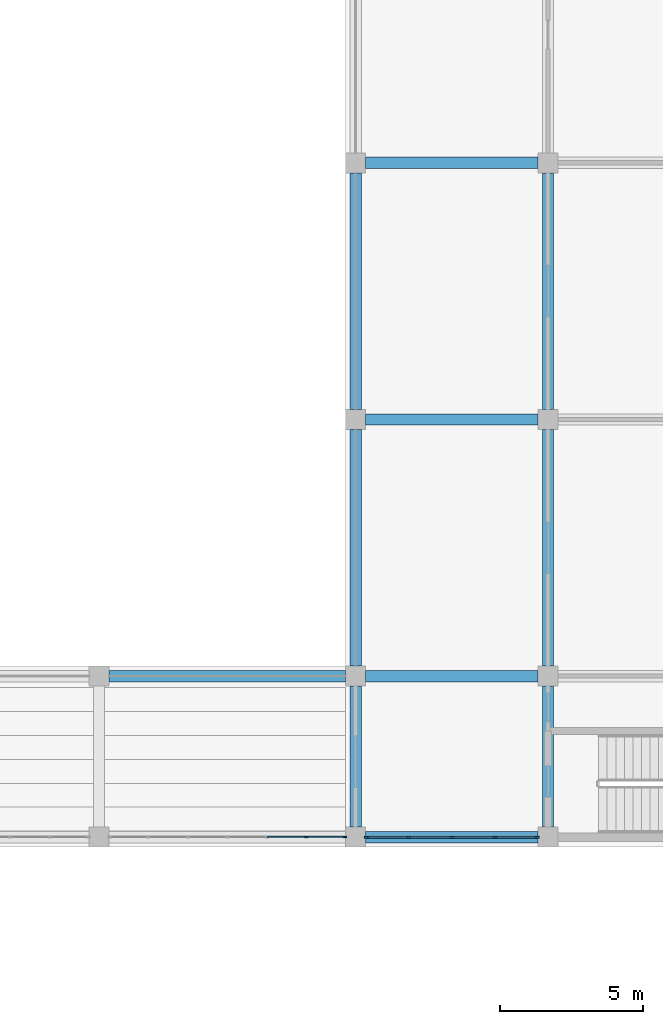
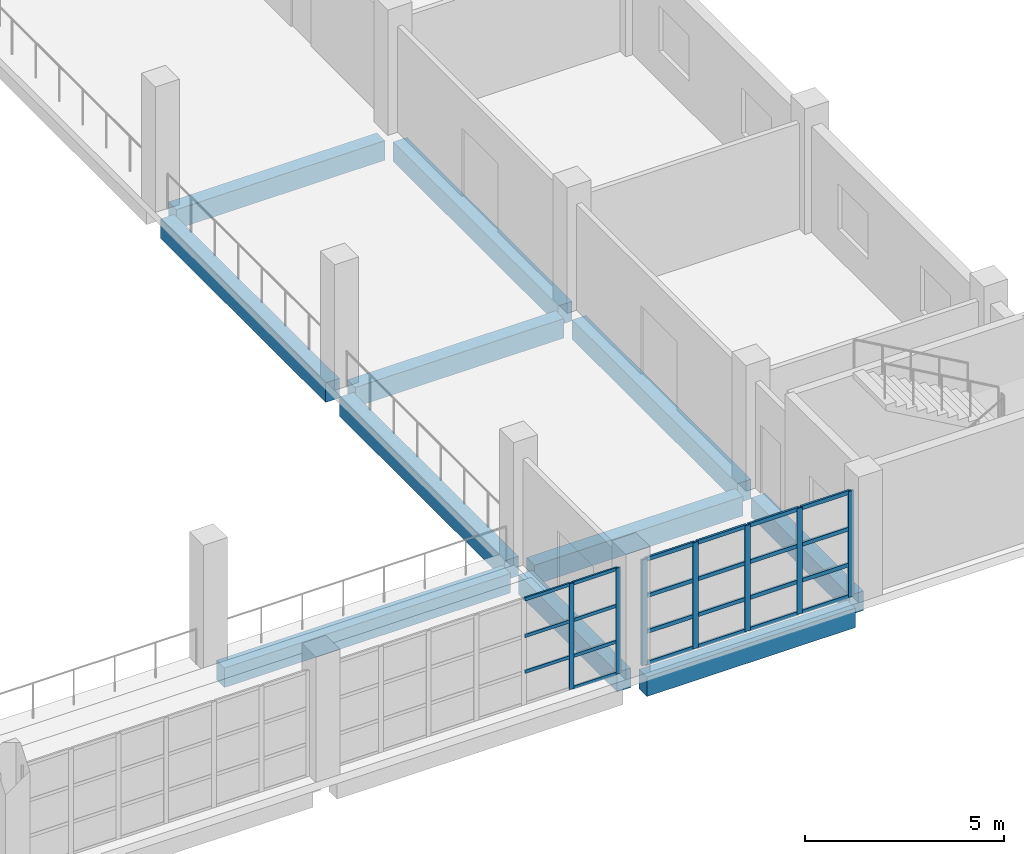
# One storey, part 6 of 36: 30 members, 11 beams, 2 elements without a shape of their own.
"""IFC4 building model written with IfcOpenShell, lengths in metres."""

from ifc_helpers import new_model, si_unit, direction, frame, origin, origin_2d, place, context, subcontext, project, spatial, rectangle, extrude, material, layer, layer_set, material_profile, profile_set, type_object, element, aggregate, save


model = new_model("IFC4")

# Units and contexts
model_context = context("Model", 3, precision=1e-05, world=origin(), true_north=direction((0.0, 1.0)))
body_context = subcontext(model_context, "Body", "Model", "MODEL_VIEW")
ifc_project = project(units=[si_unit("LENGTHUNIT", "METRE"), si_unit("AREAUNIT", "SQUARE_METRE"), si_unit("VOLUMEUNIT", "CUBIC_METRE"), si_unit("PLANEANGLEUNIT", "RADIAN"), si_unit("MASSUNIT", "GRAM", prefix="KILO")], contexts=[model_context])

# Site, building, storey
site_placement = place(None, origin())
site = spatial("IfcSite", under=ifc_project, at=site_placement, CompositionType="ELEMENT")
building_placement = place(site_placement, origin())
building = spatial("IfcBuilding", under=site, at=building_placement, Name="Corbel Stack Research Tower", CompositionType="ELEMENT")
storey_placement = place(building_placement, frame((0.0, 0.0, 7.199951171875)))
storey = spatial("IfcBuildingStorey", under=building, at=storey_placement, Name="L01", CompositionType="ELEMENT", Elevation=7.199951171875)

# Curtain wall, members
ifc_material_1 = material(Name="Aluminium", Category="aluminium")
ifc_layer_1 = layer(ifc_material_1, 0.14990234375)
ifc_layer_set_1 = layer_set([ifc_layer_1], Name="Aluminium")
curtain_wall_type_1 = type_object("IfcCurtainWallType", Name="CW5 main facade curtain wall", PredefinedType="NOTDEFINED", material=ifc_layer_set_1)
curtain_wall_1_placement = place(storey_placement, origin())
curtain_wall_1 = element("IfcCurtainWall", 1, at=curtain_wall_1_placement, inside=storey, type_object=curtain_wall_type_1, Name="Main facade curtain wall L01 3", PredefinedType="NOTDEFINED")
ifc_material_2 = material(Name="Aluminium", Category="aluminium")
ifc_material_profile_1 = material_profile(ifc_material_2, rectangle(XDim=0.06005859375, YDim=0.159912109375, at=origin_2d()), Name="Mullion 60 x 160")
ifc_profile_set_1 = profile_set([ifc_material_profile_1], Name="Aluminium")
member_type_1 = type_object("IfcMemberType", Name="CW5 mullion 60 x 160", PredefinedType="MULLION", material=ifc_profile_set_1)
member_1_placement = place(storey_placement, frame((87.330078125, -23.64990234375, 0.0), z_axis=(0.0, 0.0, 1.0), x_axis=(0.0, 1.0, 0.0)))
member_1 = element("IfcMember", 2, at=member_1_placement, type_object=member_type_1, Name="CW5 mullion 1", PredefinedType="MULLION", context=body_context, shape_type="SweptSolid", body=[
    extrude(rectangle(XDim=0.06005859375, YDim=0.159912109375, at=origin_2d()), origin(), (0.0, 0.0, 1.0), 3.25),
])
member_2_placement = place(storey_placement, frame((88.8125, -23.64990234375, 0.0), z_axis=(0.0, 0.0, 1.0), x_axis=(0.0, 1.0, 0.0)))
member_2 = element("IfcMember", 3, at=member_2_placement, type_object=member_type_1, Name="CW5 mullion 2", PredefinedType="MULLION", context=body_context, shape_type="SweptSolid", body=[
    extrude(rectangle(XDim=0.06005859375, YDim=0.159912109375, at=origin_2d()), origin(), (0.0, 0.0, 1.0), 3.25),
])
member_3_placement = place(storey_placement, frame((90.324951171875, -23.64990234375, 0.0), z_axis=(0.0, 0.0, 1.0), x_axis=(0.0, 1.0, 0.0)))
member_3 = element("IfcMember", 4, at=member_3_placement, type_object=member_type_1, Name="CW5 mullion 3", PredefinedType="MULLION", context=body_context, shape_type="SweptSolid", body=[
    extrude(rectangle(XDim=0.06005859375, YDim=0.159912109375, at=origin_2d()), origin(), (0.0, 0.0, 1.0), 3.25),
])
member_4_placement = place(storey_placement, frame((91.83740234375, -23.64990234375, 0.0), z_axis=(0.0, 0.0, 1.0), x_axis=(0.0, 1.0, 0.0)))
member_4 = element("IfcMember", 5, at=member_4_placement, type_object=member_type_1, Name="CW5 mullion 4", PredefinedType="MULLION", context=body_context, shape_type="SweptSolid", body=[
    extrude(rectangle(XDim=0.06005859375, YDim=0.159912109375, at=origin_2d()), origin(), (0.0, 0.0, 1.0), 3.25),
])
member_5_placement = place(storey_placement, frame((93.320068359375, -23.64990234375, 0.0), z_axis=(0.0, 0.0, 1.0), x_axis=(0.0, 1.0, 0.0)))
member_5 = element("IfcMember", 6, at=member_5_placement, type_object=member_type_1, Name="CW5 mullion 5", PredefinedType="MULLION", context=body_context, shape_type="SweptSolid", body=[
    extrude(rectangle(XDim=0.06005859375, YDim=0.159912109375, at=origin_2d()), origin(), (0.0, 0.0, 1.0), 3.25),
])
ifc_material_3 = material(Name="Aluminium", Category="aluminium")
ifc_material_profile_2 = material_profile(ifc_material_3, rectangle(XDim=0.06005859375, YDim=0.1201171875, at=origin_2d()), Name="Transom 60 x 120")
ifc_profile_set_2 = profile_set([ifc_material_profile_2], Name="Aluminium")
member_type_2 = type_object("IfcMemberType", Name="CW5 transom 60 x 120", PredefinedType="USERDEFINED", material=ifc_profile_set_2)
member_6_placement = place(storey_placement, frame((87.360107421875, -23.64990234375, 0.030029296875), z_axis=(1.0, 0.0, 0.0), x_axis=(0.0, 1.0, 0.0)))
member_6 = element("IfcMember", 7, at=member_6_placement, type_object=member_type_2, Name="CW5 transom 1.1", ObjectType="TRANSOM", PredefinedType="USERDEFINED", context=body_context, shape_type="SweptSolid", body=[
    extrude(rectangle(XDim=0.06005859375, YDim=0.1201171875, at=origin_2d()), origin(), (0.0, 0.0, 1.0), 1.42236328125),
])
member_7_placement = place(storey_placement, frame((87.360107421875, -23.64990234375, 1.0), z_axis=(1.0, 0.0, 0.0), x_axis=(0.0, 1.0, 0.0)))
member_7 = element("IfcMember", 8, at=member_7_placement, type_object=member_type_2, Name="CW5 transom 1.2", ObjectType="TRANSOM", PredefinedType="USERDEFINED", context=body_context, shape_type="SweptSolid", body=[
    extrude(rectangle(XDim=0.06005859375, YDim=0.1201171875, at=origin_2d()), origin(), (0.0, 0.0, 1.0), 1.42236328125),
])
member_8_placement = place(storey_placement, frame((87.360107421875, -23.64990234375, 2.10009765625), z_axis=(1.0, 0.0, 0.0), x_axis=(0.0, 1.0, 0.0)))
member_8 = element("IfcMember", 9, at=member_8_placement, type_object=member_type_2, Name="CW5 transom 1.3", ObjectType="TRANSOM", PredefinedType="USERDEFINED", context=body_context, shape_type="SweptSolid", body=[
    extrude(rectangle(XDim=0.06005859375, YDim=0.1201171875, at=origin_2d()), origin(), (0.0, 0.0, 1.0), 1.42236328125),
])
member_9_placement = place(storey_placement, frame((87.360107421875, -23.64990234375, 3.219970703125), z_axis=(1.0, 0.0, 0.0), x_axis=(0.0, 1.0, 0.0)))
member_9 = element("IfcMember", 10, at=member_9_placement, type_object=member_type_2, Name="CW5 transom 1.4", ObjectType="TRANSOM", PredefinedType="USERDEFINED", context=body_context, shape_type="SweptSolid", body=[
    extrude(rectangle(XDim=0.06005859375, YDim=0.1201171875, at=origin_2d()), origin(), (0.0, 0.0, 1.0), 1.42236328125),
])
member_10_placement = place(storey_placement, frame((88.842529296875, -23.64990234375, 0.030029296875), z_axis=(1.0, 0.0, 0.0), x_axis=(0.0, 1.0, 0.0)))
member_10 = element("IfcMember", 11, at=member_10_placement, type_object=member_type_2, Name="CW5 transom 2.1", ObjectType="TRANSOM", PredefinedType="USERDEFINED", context=body_context, shape_type="SweptSolid", body=[
    extrude(rectangle(XDim=0.06005859375, YDim=0.1201171875, at=origin_2d()), origin(), (0.0, 0.0, 1.0), 1.452392578125),
])
member_11_placement = place(storey_placement, frame((88.842529296875, -23.64990234375, 1.0), z_axis=(1.0, 0.0, 0.0), x_axis=(0.0, 1.0, 0.0)))
member_11 = element("IfcMember", 12, at=member_11_placement, type_object=member_type_2, Name="CW5 transom 2.2", ObjectType="TRANSOM", PredefinedType="USERDEFINED", context=body_context, shape_type="SweptSolid", body=[
    extrude(rectangle(XDim=0.06005859375, YDim=0.1201171875, at=origin_2d()), origin(), (0.0, 0.0, 1.0), 1.452392578125),
])
member_12_placement = place(storey_placement, frame((88.842529296875, -23.64990234375, 2.10009765625), z_axis=(1.0, 0.0, 0.0), x_axis=(0.0, 1.0, 0.0)))
member_12 = element("IfcMember", 13, at=member_12_placement, type_object=member_type_2, Name="CW5 transom 2.3", ObjectType="TRANSOM", PredefinedType="USERDEFINED", context=body_context, shape_type="SweptSolid", body=[
    extrude(rectangle(XDim=0.06005859375, YDim=0.1201171875, at=origin_2d()), origin(), (0.0, 0.0, 1.0), 1.452392578125),
])
member_13_placement = place(storey_placement, frame((88.842529296875, -23.64990234375, 3.219970703125), z_axis=(1.0, 0.0, 0.0), x_axis=(0.0, 1.0, 0.0)))
member_13 = element("IfcMember", 14, at=member_13_placement, type_object=member_type_2, Name="CW5 transom 2.4", ObjectType="TRANSOM", PredefinedType="USERDEFINED", context=body_context, shape_type="SweptSolid", body=[
    extrude(rectangle(XDim=0.06005859375, YDim=0.1201171875, at=origin_2d()), origin(), (0.0, 0.0, 1.0), 1.452392578125),
])
member_14_placement = place(storey_placement, frame((90.35498046875, -23.64990234375, 0.030029296875), z_axis=(1.0, 0.0, 0.0), x_axis=(0.0, 1.0, 0.0)))
member_14 = element("IfcMember", 15, at=member_14_placement, type_object=member_type_2, Name="CW5 transom 3.1", ObjectType="TRANSOM", PredefinedType="USERDEFINED", context=body_context, shape_type="SweptSolid", body=[
    extrude(rectangle(XDim=0.06005859375, YDim=0.1201171875, at=origin_2d()), origin(), (0.0, 0.0, 1.0), 1.45263671875),
])
member_15_placement = place(storey_placement, frame((90.35498046875, -23.64990234375, 1.0), z_axis=(1.0, 0.0, 0.0), x_axis=(0.0, 1.0, 0.0)))
member_15 = element("IfcMember", 16, at=member_15_placement, type_object=member_type_2, Name="CW5 transom 3.2", ObjectType="TRANSOM", PredefinedType="USERDEFINED", context=body_context, shape_type="SweptSolid", body=[
    extrude(rectangle(XDim=0.06005859375, YDim=0.1201171875, at=origin_2d()), origin(), (0.0, 0.0, 1.0), 1.45263671875),
])
member_16_placement = place(storey_placement, frame((90.35498046875, -23.64990234375, 2.10009765625), z_axis=(1.0, 0.0, 0.0), x_axis=(0.0, 1.0, 0.0)))
member_16 = element("IfcMember", 17, at=member_16_placement, type_object=member_type_2, Name="CW5 transom 3.3", ObjectType="TRANSOM", PredefinedType="USERDEFINED", context=body_context, shape_type="SweptSolid", body=[
    extrude(rectangle(XDim=0.06005859375, YDim=0.1201171875, at=origin_2d()), origin(), (0.0, 0.0, 1.0), 1.45263671875),
])
member_17_placement = place(storey_placement, frame((90.35498046875, -23.64990234375, 3.219970703125), z_axis=(1.0, 0.0, 0.0), x_axis=(0.0, 1.0, 0.0)))
member_17 = element("IfcMember", 18, at=member_17_placement, type_object=member_type_2, Name="CW5 transom 3.4", ObjectType="TRANSOM", PredefinedType="USERDEFINED", context=body_context, shape_type="SweptSolid", body=[
    extrude(rectangle(XDim=0.06005859375, YDim=0.1201171875, at=origin_2d()), origin(), (0.0, 0.0, 1.0), 1.45263671875),
])
member_18_placement = place(storey_placement, frame((91.867431640625, -23.64990234375, 0.030029296875), z_axis=(1.0, 0.0, 0.0), x_axis=(0.0, 1.0, 0.0)))
member_18 = element("IfcMember", 19, at=member_18_placement, type_object=member_type_2, Name="CW5 transom 4.1", ObjectType="TRANSOM", PredefinedType="USERDEFINED", context=body_context, shape_type="SweptSolid", body=[
    extrude(rectangle(XDim=0.06005859375, YDim=0.1201171875, at=origin_2d()), origin(), (0.0, 0.0, 1.0), 1.422607421875),
])
member_19_placement = place(storey_placement, frame((91.867431640625, -23.64990234375, 1.0), z_axis=(1.0, 0.0, 0.0), x_axis=(0.0, 1.0, 0.0)))
member_19 = element("IfcMember", 20, at=member_19_placement, type_object=member_type_2, Name="CW5 transom 4.2", ObjectType="TRANSOM", PredefinedType="USERDEFINED", context=body_context, shape_type="SweptSolid", body=[
    extrude(rectangle(XDim=0.06005859375, YDim=0.1201171875, at=origin_2d()), origin(), (0.0, 0.0, 1.0), 1.422607421875),
])
member_20_placement = place(storey_placement, frame((91.867431640625, -23.64990234375, 2.10009765625), z_axis=(1.0, 0.0, 0.0), x_axis=(0.0, 1.0, 0.0)))
member_20 = element("IfcMember", 21, at=member_20_placement, type_object=member_type_2, Name="CW5 transom 4.3", ObjectType="TRANSOM", PredefinedType="USERDEFINED", context=body_context, shape_type="SweptSolid", body=[
    extrude(rectangle(XDim=0.06005859375, YDim=0.1201171875, at=origin_2d()), origin(), (0.0, 0.0, 1.0), 1.422607421875),
])
member_21_placement = place(storey_placement, frame((91.867431640625, -23.64990234375, 3.219970703125), z_axis=(1.0, 0.0, 0.0), x_axis=(0.0, 1.0, 0.0)))
member_21 = element("IfcMember", 22, at=member_21_placement, type_object=member_type_2, Name="CW5 transom 4.4", ObjectType="TRANSOM", PredefinedType="USERDEFINED", context=body_context, shape_type="SweptSolid", body=[
    extrude(rectangle(XDim=0.06005859375, YDim=0.1201171875, at=origin_2d()), origin(), (0.0, 0.0, 1.0), 1.422607421875),
])
aggregate(curtain_wall_1, [member_1, member_2, member_3, member_4, member_5, member_6, member_7, member_8, member_9, member_10, member_11, member_12, member_13, member_14, member_15, member_16, member_17, member_18, member_19, member_20, member_21])

ifc_material_4 = material(Name="Aluminium", Category="aluminium")
ifc_layer_2 = layer(ifc_material_4, 0.139892578125)
ifc_layer_set_2 = layer_set([ifc_layer_2], Name="Aluminium")
curtain_wall_type_2 = type_object("IfcCurtainWallType", Name="CW6 gallery curtain wall", PredefinedType="NOTDEFINED", material=ifc_layer_set_2)
curtain_wall_2_placement = place(storey_placement, origin())
curtain_wall_2 = element("IfcCurtainWall", 23, at=curtain_wall_2_placement, inside=storey, type_object=curtain_wall_type_2, Name="Gallery curtain wall L01 8", PredefinedType="NOTDEFINED")
ifc_material_5 = material(Name="Aluminium", Category="aluminium")
ifc_material_profile_3 = material_profile(ifc_material_5, rectangle(XDim=0.050048828125, YDim=0.139892578125, at=origin_2d()), Name="Mullion 50 x 140")
ifc_profile_set_3 = profile_set([ifc_material_profile_3], Name="Aluminium")
member_type_3 = type_object("IfcMemberType", Name="CW6 mullion 50 x 140", PredefinedType="MULLION", material=ifc_profile_set_3)
member_22_placement = place(storey_placement, frame((85.216552734375, -23.64990234375, 0.0), z_axis=(0.0, 0.0, 1.0), x_axis=(0.0, 1.0, 0.0)))
member_22 = element("IfcMember", 24, at=member_22_placement, type_object=member_type_3, Name="CW6 mullion 6", PredefinedType="MULLION", context=body_context, shape_type="SweptSolid", body=[
    extrude(rectangle(XDim=0.050048828125, YDim=0.139892578125, at=origin_2d()), origin(), (0.0, 0.0, 1.0), 3.25),
])
member_23_placement = place(storey_placement, frame((86.574951171875, -23.64990234375, 0.0), z_axis=(0.0, 0.0, 1.0), x_axis=(0.0, 1.0, 0.0)))
member_23 = element("IfcMember", 25, at=member_23_placement, type_object=member_type_3, Name="CW6 mullion 7", PredefinedType="MULLION", context=body_context, shape_type="SweptSolid", body=[
    extrude(rectangle(XDim=0.050048828125, YDim=0.139892578125, at=origin_2d()), origin(), (0.0, 0.0, 1.0), 3.25),
])
ifc_material_6 = material(Name="Aluminium", Category="aluminium")
ifc_material_profile_4 = material_profile(ifc_material_6, rectangle(XDim=0.050048828125, YDim=0.10009765625, at=origin_2d()), Name="Transom 50 x 100")
ifc_profile_set_4 = profile_set([ifc_material_profile_4], Name="Aluminium")
member_type_4 = type_object("IfcMemberType", Name="CW6 transom 50 x 100", PredefinedType="USERDEFINED", material=ifc_profile_set_4)
member_24_placement = place(storey_placement, frame((83.8583984375, -23.64990234375, 1.0), z_axis=(1.0, 0.0, 0.0), x_axis=(0.0, 1.0, 0.0)))
member_24 = element("IfcMember", 26, at=member_24_placement, type_object=member_type_4, Name="CW6 transom 5.2", ObjectType="TRANSOM", PredefinedType="USERDEFINED", context=body_context, shape_type="SweptSolid", body=[
    extrude(rectangle(XDim=0.050048828125, YDim=0.10009765625, at=origin_2d()), origin(), (0.0, 0.0, 1.0), 1.333251953125),
])
member_25_placement = place(storey_placement, frame((83.8583984375, -23.64990234375, 2.10009765625), z_axis=(1.0, 0.0, 0.0), x_axis=(0.0, 1.0, 0.0)))
member_25 = element("IfcMember", 27, at=member_25_placement, type_object=member_type_4, Name="CW6 transom 5.3", ObjectType="TRANSOM", PredefinedType="USERDEFINED", context=body_context, shape_type="SweptSolid", body=[
    extrude(rectangle(XDim=0.050048828125, YDim=0.10009765625, at=origin_2d()), origin(), (0.0, 0.0, 1.0), 1.333251953125),
])
member_26_placement = place(storey_placement, frame((83.8583984375, -23.64990234375, 3.22509765625), z_axis=(1.0, 0.0, 0.0), x_axis=(0.0, 1.0, 0.0)))
member_26 = element("IfcMember", 28, at=member_26_placement, type_object=member_type_4, Name="CW6 transom 5.4", ObjectType="TRANSOM", PredefinedType="USERDEFINED", context=body_context, shape_type="SweptSolid", body=[
    extrude(rectangle(XDim=0.050048828125, YDim=0.10009765625, at=origin_2d()), origin(), (0.0, 0.0, 1.0), 1.333251953125),
])
member_27_placement = place(storey_placement, frame((85.24169921875, -23.64990234375, 0.025146484375), z_axis=(1.0, 0.0, 0.0), x_axis=(0.0, 1.0, 0.0)))
member_27 = element("IfcMember", 29, at=member_27_placement, type_object=member_type_4, Name="CW6 transom 6.1", ObjectType="TRANSOM", PredefinedType="USERDEFINED", context=body_context, shape_type="SweptSolid", body=[
    extrude(rectangle(XDim=0.050048828125, YDim=0.10009765625, at=origin_2d()), origin(), (0.0, 0.0, 1.0), 1.308349609375),
])
member_28_placement = place(storey_placement, frame((85.24169921875, -23.64990234375, 1.0), z_axis=(1.0, 0.0, 0.0), x_axis=(0.0, 1.0, 0.0)))
member_28 = element("IfcMember", 30, at=member_28_placement, type_object=member_type_4, Name="CW6 transom 6.2", ObjectType="TRANSOM", PredefinedType="USERDEFINED", context=body_context, shape_type="SweptSolid", body=[
    extrude(rectangle(XDim=0.050048828125, YDim=0.10009765625, at=origin_2d()), origin(), (0.0, 0.0, 1.0), 1.308349609375),
])
member_29_placement = place(storey_placement, frame((85.24169921875, -23.64990234375, 2.10009765625), z_axis=(1.0, 0.0, 0.0), x_axis=(0.0, 1.0, 0.0)))
member_29 = element("IfcMember", 31, at=member_29_placement, type_object=member_type_4, Name="CW6 transom 6.3", ObjectType="TRANSOM", PredefinedType="USERDEFINED", context=body_context, shape_type="SweptSolid", body=[
    extrude(rectangle(XDim=0.050048828125, YDim=0.10009765625, at=origin_2d()), origin(), (0.0, 0.0, 1.0), 1.308349609375),
])
member_30_placement = place(storey_placement, frame((85.24169921875, -23.64990234375, 3.22509765625), z_axis=(1.0, 0.0, 0.0), x_axis=(0.0, 1.0, 0.0)))
member_30 = element("IfcMember", 32, at=member_30_placement, type_object=member_type_4, Name="CW6 transom 6.4", ObjectType="TRANSOM", PredefinedType="USERDEFINED", context=body_context, shape_type="SweptSolid", body=[
    extrude(rectangle(XDim=0.050048828125, YDim=0.10009765625, at=origin_2d()), origin(), (0.0, 0.0, 1.0), 1.308349609375),
])
aggregate(curtain_wall_2, [member_22, member_23, member_24, member_25, member_26, member_27, member_28, member_29, member_30])

# Beams
ifc_material_7 = material(Name="Concrete C40/50", Category="concrete")
ifc_material_profile_5 = material_profile(ifc_material_7, rectangle(XDim=0.39990234375, YDim=0.60009765625, at=origin_2d()), Name="RC 400 x 600")
ifc_profile_set_5 = profile_set([ifc_material_profile_5], Name="Concrete C40/50")
beam_type = type_object("IfcBeamType", Name="HB1 RC beam 400 x 600", PredefinedType="BEAM", material=ifc_profile_set_5)
beam_1_placement = place(storey_placement, frame((78.300048828125, -18.0, -0.550048828125), z_axis=(1.0, 0.0, 0.0), x_axis=(0.0, 1.0, 0.0)))
element("IfcBeam", 33, at=beam_1_placement, inside=storey, type_object=beam_type, Name="Floor beam L01 H6HB-H7HB", PredefinedType="BEAM", context=body_context, shape_type="SweptSolid", body=[
    extrude(rectangle(XDim=0.39990234375, YDim=0.60009765625, at=origin_2d()), origin(), (0.0, 0.0, 1.0), 8.300048828125),
])
beam_2_placement = place(storey_placement, frame((87.300048828125, -23.64990234375, -0.550048828125), z_axis=(1.0, 0.0, 0.0), x_axis=(0.0, 1.0, 0.0)))
element("IfcBeam", 34, at=beam_2_placement, inside=storey, type_object=beam_type, Name="Floor beam L01 H7HA-H8HA", PredefinedType="BEAM", context=body_context, shape_type="SweptSolid", body=[
    extrude(rectangle(XDim=0.39990234375, YDim=0.60009765625, at=origin_2d()), origin(), (0.0, 0.0, 1.0), 6.050048828125),
])
beam_3_placement = place(storey_placement, frame((86.949951171875, -23.300048828125, -0.550048828125), z_axis=(0.0, 1.0, 0.0), x_axis=(-1.0, 0.0, 0.0)))
element("IfcBeam", 35, at=beam_3_placement, inside=storey, type_object=beam_type, Name="Floor beam L01 H7HA-H7HB", PredefinedType="BEAM", context=body_context, shape_type="SweptSolid", body=[
    extrude(rectangle(XDim=0.39990234375, YDim=0.60009765625, at=origin_2d()), origin(), (0.0, 0.0, 1.0), 4.949951171875),
])
beam_4_placement = place(storey_placement, frame((87.300048828125, -18.0, -0.550048828125), z_axis=(1.0, 0.0, 0.0), x_axis=(0.0, 1.0, 0.0)))
element("IfcBeam", 36, at=beam_4_placement, inside=storey, type_object=beam_type, Name="Floor beam L01 H7HB-H8HB", PredefinedType="BEAM", context=body_context, shape_type="SweptSolid", body=[
    extrude(rectangle(XDim=0.39990234375, YDim=0.60009765625, at=origin_2d()), origin(), (0.0, 0.0, 1.0), 6.050048828125),
])
beam_5_placement = place(storey_placement, frame((86.949951171875, -17.64990234375, -0.550048828125), z_axis=(0.0, 1.0, 0.0), x_axis=(-1.0, 0.0, 0.0)))
element("IfcBeam", 37, at=beam_5_placement, inside=storey, type_object=beam_type, Name="Floor beam L01 H7HB-H7HC", PredefinedType="BEAM", context=body_context, shape_type="SweptSolid", body=[
    extrude(rectangle(XDim=0.39990234375, YDim=0.60009765625, at=origin_2d()), origin(), (0.0, 0.0, 1.0), 8.2998046875),
])
beam_6_placement = place(storey_placement, frame((87.300048828125, -9.0, -0.550048828125), z_axis=(1.0, 0.0, 0.0), x_axis=(0.0, 1.0, 0.0)))
element("IfcBeam", 38, at=beam_6_placement, inside=storey, type_object=beam_type, Name="Floor beam L01 H7HC-H8HC", PredefinedType="BEAM", context=body_context, shape_type="SweptSolid", body=[
    extrude(rectangle(XDim=0.39990234375, YDim=0.60009765625, at=origin_2d()), origin(), (0.0, 0.0, 1.0), 6.050048828125),
])
beam_7_placement = place(storey_placement, frame((86.949951171875, -8.64990234375, -0.550048828125), z_axis=(0.0, 1.0, 0.0), x_axis=(-1.0, 0.0, 0.0)))
element("IfcBeam", 39, at=beam_7_placement, inside=storey, type_object=beam_type, Name="Floor beam L01 H7HC-H7HD", PredefinedType="BEAM", context=body_context, shape_type="SweptSolid", body=[
    extrude(rectangle(XDim=0.39990234375, YDim=0.60009765625, at=origin_2d()), origin(), (0.0, 0.0, 1.0), 8.2998046875),
])
beam_8_placement = place(storey_placement, frame((87.300048828125, 0.0, -0.550048828125), z_axis=(1.0, 0.0, 0.0), x_axis=(0.0, 1.0, 0.0)))
element("IfcBeam", 40, at=beam_8_placement, inside=storey, type_object=beam_type, Name="Floor beam L01 H7HD-H8HD", PredefinedType="BEAM", context=body_context, shape_type="SweptSolid", body=[
    extrude(rectangle(XDim=0.39990234375, YDim=0.60009765625, at=origin_2d()), origin(), (0.0, 0.0, 1.0), 6.050048828125),
])
beam_9_placement = place(storey_placement, frame((93.699951171875, -23.300048828125, -0.550048828125), z_axis=(0.0, 1.0, 0.0), x_axis=(-1.0, 0.0, 0.0)))
element("IfcBeam", 41, at=beam_9_placement, inside=storey, type_object=beam_type, Name="Floor beam L01 H8HA-H8HB", PredefinedType="BEAM", context=body_context, shape_type="SweptSolid", body=[
    extrude(rectangle(XDim=0.39990234375, YDim=0.60009765625, at=origin_2d()), origin(), (0.0, 0.0, 1.0), 4.949951171875),
])
for number, where, z_axis, x_axis, name in (
    (42, (93.699951171875, -17.64990234375, -0.550048828125), (0.0, 1.0, 0.0), (-1.0, 0.0, 0.0), "Floor beam L01 H8HB-H8HC"),
    (43, (93.699951171875, -8.64990234375, -0.550048828125), (0.0, 1.0, 0.0), (-1.0, 0.0, 0.0), "Floor beam L01 H8HC-H8HD"),
):
    element("IfcBeam", number, at=place(storey_placement, frame(where, z_axis=z_axis, x_axis=x_axis)), inside=storey, type_object=beam_type, Name=name, PredefinedType="BEAM", context=body_context, shape_type="SweptSolid", body=[
        extrude(rectangle(XDim=0.39990234375, YDim=0.60009765625, at=origin_2d()), origin(), (0.0, 0.0, 1.0), 8.2998046875),
    ])

save(model, "model.ifc")
